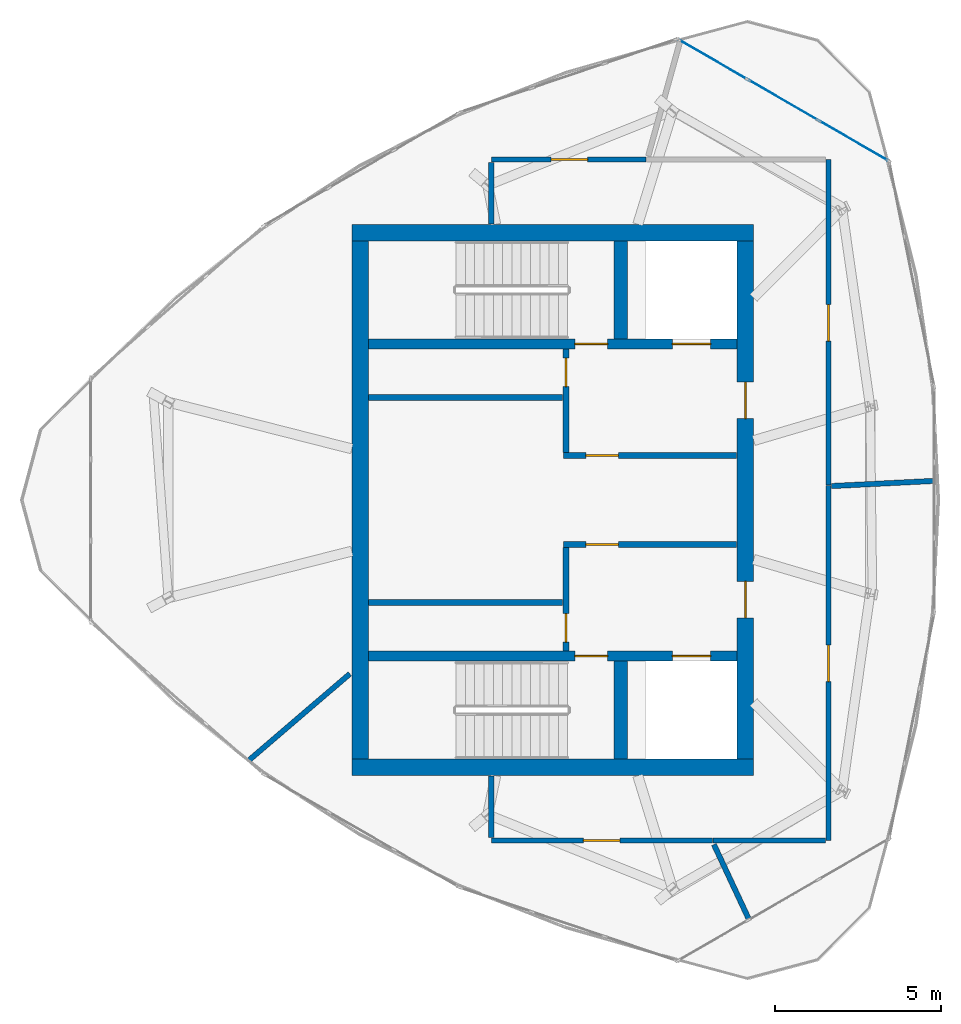
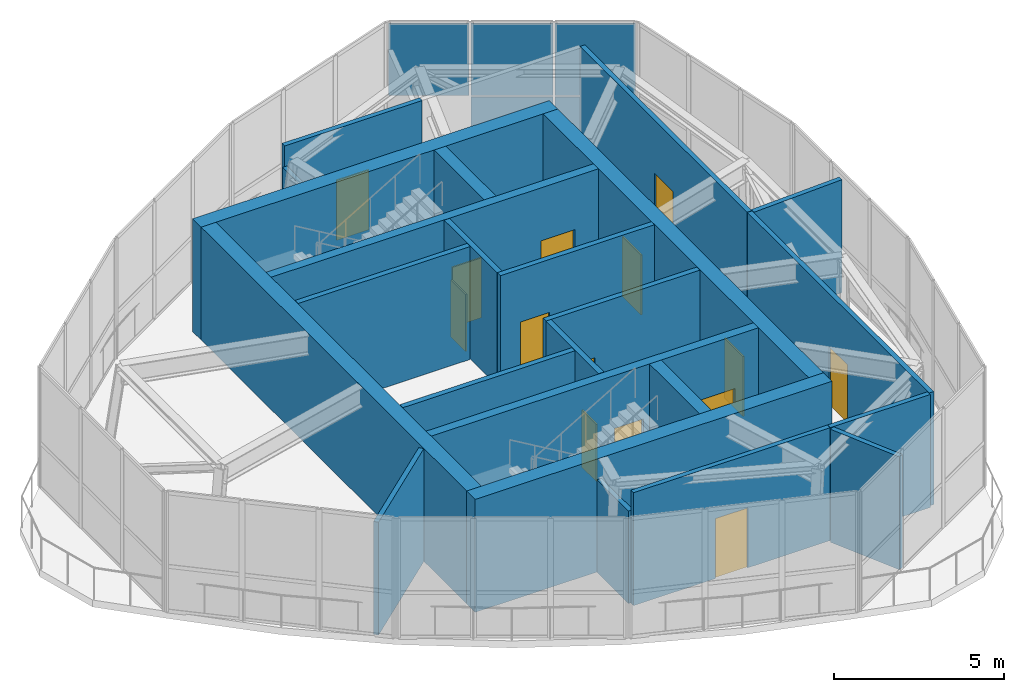
# One storey, part 7 of 10: 24 walls, 14 doors, 5 plates, 14 openings, 1 element without a shape of its own.
"""IFC4 building model written with IfcOpenShell, lengths in metres."""

from ifc_helpers import new_model, si_unit, direction, frame, frame_2d, origin, origin_2d, place, context, subcontext, project, spatial, rectangle, extrude, source, transform, mapped, material, layer, layer_set, type_object, element, fill, aggregate, save


model = new_model("IFC4")

# Units and contexts
model_context = context("Model", 3, precision=1e-05, world=origin(), true_north=direction((0.0, 1.0)))
body_context = subcontext(model_context, "Body", "Model", "MODEL_VIEW")
ifc_project = project(units=[si_unit("LENGTHUNIT", "METRE"), si_unit("AREAUNIT", "SQUARE_METRE"), si_unit("VOLUMEUNIT", "CUBIC_METRE"), si_unit("PLANEANGLEUNIT", "RADIAN"), si_unit("MASSUNIT", "GRAM", prefix="KILO")], contexts=[model_context])

# Site, building, storey
site_placement = place(None, origin())
site = spatial("IfcSite", under=ifc_project, at=site_placement, CompositionType="ELEMENT")
building_placement = place(site_placement, origin())
building = spatial("IfcBuilding", under=site, at=building_placement, Name="Qafzar Sky-Pleat Residences", CompositionType="ELEMENT")
storey_placement = place(building_placement, frame((0.0, 0.0, 270.39990234375)))
storey = spatial("IfcBuildingStorey", under=building, at=storey_placement, Name="L80 Crown", CompositionType="ELEMENT", Elevation=270.39990234375)

# Curtain wall, plates
ifc_material_1 = material(Name="Anodised bronze aluminium framing", Category="aluminium")
ifc_layer_1 = layer(ifc_material_1, 0.179931640625)
ifc_layer_set_1 = layer_set([ifc_layer_1], Name="Anodised bronze aluminium framing")
curtain_wall_type = type_object("IfcCurtainWallType", Name="CW-SYS-06", PredefinedType="NOTDEFINED", material=ifc_layer_set_1)
curtain_wall_placement = place(storey_placement, origin())
curtain_wall = element("IfcCurtainWall", 1, at=curtain_wall_placement, inside=storey, type_object=curtain_wall_type, Name="L80 Crown CW-06 Curtain Wall CW-CROWN-05-09", PredefinedType="NOTDEFINED")
ifc_material_2 = material(Name="Solar-control double low-E glazing", Category="glass")
ifc_layer_2 = layer(ifc_material_2, 0.02587890625)
ifc_layer_set_2 = layer_set([ifc_layer_2], Name="Solar-control double low-E glazing")
plate_type = type_object("IfcPlateType", Name="CWP-06", PredefinedType="CURTAIN_PANEL", material=ifc_layer_set_2)
shared_shape_1 = source(origin(), body_context, "Body", "SweptSolid", [
    extrude(rectangle(XDim=2.36572265625, YDim=0.02587890625, at=origin_2d()), origin(), (0.0, 0.0, 1.0), 1.5439453125),
])
plate_1_placement = place(storey_placement, frame((39.404296875, 36.818359375, 0.06005859375), z_axis=(0.0, 0.0, 1.0), x_axis=(-0.86602509329, 0.500000537791, 0.0)))
plate_1 = element("IfcPlate", 2, at=plate_1_placement, type_object=plate_type, Name="CW-06 panel 1.1", PredefinedType="CURTAIN_PANEL", context=body_context, shape_type="MappedRepresentation", body=[
    mapped(shared_shape_1, transform((0.0, 0.0, 0.0), x_axis=(1.0, 0.0, 0.0), y_axis=(0.0, 1.0, 0.0), z_axis=(0.0, 0.0, 1.0), scale=1.0)),
])
shared_shape_2 = source(origin(), body_context, "Body", "SweptSolid", [
    extrude(rectangle(XDim=2.36572265625, YDim=0.02587890625, at=origin_2d()), origin(), (0.0, 0.0, 1.0), 2.575927734375),
])
plate_2_placement = place(storey_placement, frame((39.404296875, 36.818359375, 1.6640625), z_axis=(0.0, 0.0, 1.0), x_axis=(-0.86602509329, 0.500000537791, 0.0)))
plate_2 = element("IfcPlate", 3, at=plate_2_placement, type_object=plate_type, Name="CW-06 panel 1.2", PredefinedType="CURTAIN_PANEL", context=body_context, shape_type="MappedRepresentation", body=[
    mapped(shared_shape_2, transform((0.0, 0.0, 0.0), x_axis=(1.0, 0.0, 0.0), y_axis=(0.0, 1.0, 0.0), z_axis=(0.0, 0.0, 1.0), scale=1.0)),
])
plate_3_placement = place(storey_placement, frame((35.177001953125, 39.259033203125, 1.6640625), z_axis=(0.0, 0.0, 1.0), x_axis=(-0.86602509329, 0.500000537791, 0.0)))
plate_3 = element("IfcPlate", 4, at=plate_3_placement, type_object=plate_type, Name="CW-06 panel 3.2", PredefinedType="CURTAIN_PANEL", context=body_context, shape_type="MappedRepresentation", body=[
    mapped(shared_shape_2, transform((0.0, 0.0, 0.0), x_axis=(1.0, 0.0, 0.0), y_axis=(0.0, 1.0, 0.0), z_axis=(0.0, 0.0, 1.0), scale=1.0)),
])
shared_shape_3 = source(origin(), body_context, "Body", "SweptSolid", [
    extrude(rectangle(XDim=2.395751953125, YDim=0.02587890625, at=origin_2d()), origin(), (0.0, 0.0, 1.0), 1.5439453125),
])
plate_4_placement = place(storey_placement, frame((37.29052734375, 38.038818359375, 0.06005859375), z_axis=(0.0, 0.0, 1.0), x_axis=(-0.86602509329, 0.500000537791, 0.0)))
plate_4 = element("IfcPlate", 5, at=plate_4_placement, type_object=plate_type, Name="CW-06 panel 2.1", PredefinedType="CURTAIN_PANEL", context=body_context, shape_type="MappedRepresentation", body=[
    mapped(shared_shape_3, transform((0.0, 0.0, 0.0), x_axis=(1.0, 0.0, 0.0), y_axis=(0.0, 1.0, 0.0), z_axis=(0.0, 0.0, 1.0), scale=1.0)),
])
shared_shape_4 = source(origin(), body_context, "Body", "SweptSolid", [
    extrude(rectangle(XDim=2.395751953125, YDim=0.02587890625, at=origin_2d()), origin(), (0.0, 0.0, 1.0), 2.575927734375),
])
plate_5_placement = place(storey_placement, frame((37.29052734375, 38.038818359375, 1.6640625), z_axis=(0.0, 0.0, 1.0), x_axis=(-0.86602509329, 0.500000537791, 0.0)))
plate_5 = element("IfcPlate", 6, at=plate_5_placement, type_object=plate_type, Name="CW-06 panel 2.2", PredefinedType="CURTAIN_PANEL", context=body_context, shape_type="MappedRepresentation", body=[
    mapped(shared_shape_4, transform((0.0, 0.0, 0.0), x_axis=(1.0, 0.0, 0.0), y_axis=(0.0, 1.0, 0.0), z_axis=(0.0, 0.0, 1.0), scale=1.0)),
])
aggregate(curtain_wall, [plate_1, plate_2, plate_4, plate_5, plate_3])

# Wall, opening, door
ifc_material_3 = material(Name="Acoustic gypsum plasterboard partition", Category="gypsum")
ifc_layer_3 = layer(ifc_material_3, 0.159912109375)
ifc_layer_set_3 = layer_set([ifc_layer_3], Name="Acoustic gypsum plasterboard partition")
wall_type_1 = type_object("IfcWallType", Name="PART-COR-160", PredefinedType="PARTITIONING", material=ifc_layer_set_3)
wall_1_placement = place(storey_placement, frame((38.64990234375, 26.429931640625, 0.0), z_axis=(0.0, 0.0, 1.0), x_axis=(0.0, -1.0, 0.0)))
wall_1 = element("IfcWall", 7, at=wall_1_placement, inside=storey, type_object=wall_type_1, Name="L80 Crown Partition Wall PART-L80_Crown-PW-001", PredefinedType="PARTITIONING", context=body_context, shape_type="SweptSolid", body=[
    extrude(rectangle(XDim=10.679931640625, YDim=0.159912109375, at=frame_2d((5.33984375, 0.0))), origin(), (0.0, 0.0, 1.0), 4.050048828125),
])
opening_1_placement = place(wall_1_placement, frame((4.797607421875, 0.0, 0.0)))
opening_1 = element("IfcOpeningElement", 8, at=opening_1_placement, cuts=wall_1, Name="Opening ID-02", PredefinedType="OPENING", context=body_context, shape_type="SweptSolid", body=[
    extrude(rectangle(XDim=1.10009765625, YDim=2.14990234375, at=frame_2d((0.550048828125, 1.074951171875))), frame((0.0, 0.08984375, 0.0), z_axis=(0.0, -1.0, 0.0), x_axis=(1.0, 0.0, 0.0)), (0.0, 0.0, 1.0), 0.179931640625),
])
ifc_material_4 = material(Name="Timber-faced fire door", Category="wood")
door_type_1 = type_object("IfcDoorType", Name="DR-FFL-1100", OperationType="NOTDEFINED", PredefinedType="DOOR", material=ifc_material_4)
shared_shape_5 = source(origin(), body_context, "Body", "SweptSolid", [
    extrude(rectangle(XDim=1.10009765625, YDim=2.14990234375, at=frame_2d((0.550048828125, 1.074951171875))), frame((0.0, 0.02490234375, 0.0), z_axis=(0.0, -1.0, 0.0), x_axis=(1.0, 0.0, 0.0)), (0.0, 0.0, 1.0), 0.050048828125),
])
door_1_placement = place(opening_1_placement, origin())
door_1 = element("IfcDoor", 9, at=door_1_placement, inside=storey, type_object=door_type_1, Name="L80 Crown Crown BMS and Telemetry Mechanical Room Door", OperationType="SINGLE_SWING_RIGHT", OverallHeight=2.14990234375, OverallWidth=1.10009765625, PredefinedType="DOOR", context=body_context, shape_type="MappedRepresentation", body=[
    mapped(shared_shape_5, transform((0.0, 0.0, 0.0), x_axis=(1.0, 0.0, 0.0), y_axis=(0.0, 1.0, 0.0), z_axis=(0.0, 0.0, 1.0), scale=1.0)),
])
fill(opening_1, door_1)

wall_2_placement = place(storey_placement, frame((38.64990234375, 36.25, 0.0), z_axis=(0.0, 0.0, 1.0), x_axis=(0.0, -1.0, 0.0)))
wall_2 = element("IfcWall", 10, at=wall_2_placement, inside=storey, type_object=wall_type_1, Name="L80 Crown Partition Wall PART-L80_Crown-PW-002", PredefinedType="PARTITIONING", context=body_context, shape_type="SweptSolid", body=[
    extrude(rectangle(XDim=9.804931640625, YDim=0.159912109375, at=frame_2d((4.90234375, 0.0))), origin(), (0.0, 0.0, 1.0), 4.050048828125),
])
opening_2_placement = place(wall_2_placement, frame((4.367431640625, 0.0, 0.0)))
opening_2 = element("IfcOpeningElement", 11, at=opening_2_placement, cuts=wall_2, Name="Opening ID-02", PredefinedType="OPENING", context=body_context, shape_type="SweptSolid", body=[
    extrude(rectangle(XDim=1.10009765625, YDim=2.14990234375, at=frame_2d((0.550048828125, 1.074951171875))), frame((0.0, 0.08984375, 0.0), z_axis=(0.0, -1.0, 0.0), x_axis=(1.0, 0.0, 0.0)), (0.0, 0.0, 1.0), 0.179931640625),
])
door_2_placement = place(opening_2_placement, origin())
door_2 = element("IfcDoor", 12, at=door_2_placement, inside=storey, type_object=door_type_1, Name="L80 Crown Crown Emergency Standby Switchgear Plant Room Door", OperationType="SINGLE_SWING_LEFT", OverallHeight=2.14990234375, OverallWidth=1.10009765625, PredefinedType="DOOR", context=body_context, shape_type="MappedRepresentation", body=[
    mapped(shared_shape_5, transform((0.0, 0.0, 0.0), x_axis=(1.0, 0.0, 0.0), y_axis=(0.0, 1.0, 0.0), z_axis=(0.0, 0.0, 1.0), scale=1.0)),
])
fill(opening_2, door_2)

wall_3_placement = place(storey_placement, frame((28.5, 15.75, 0.0), z_axis=(0.0, 0.0, 1.0), x_axis=(1.0, 0.0, 0.0)))
wall_3 = element("IfcWall", 13, at=wall_3_placement, inside=storey, type_object=wall_type_1, Name="L80 Crown Partition Wall PART-L80_Crown-PW-003", PredefinedType="PARTITIONING", context=body_context, shape_type="SweptSolid", body=[
    extrude(rectangle(XDim=6.662109375, YDim=0.159912109375, at=frame_2d((3.3310546875, 0.0))), origin(), (0.0, 0.0, 1.0), 4.050048828125),
])
opening_3_placement = place(wall_3_placement, frame((2.77294921875, 0.0, 0.0)))
opening_3 = element("IfcOpeningElement", 14, at=opening_3_placement, cuts=wall_3, Name="Opening ID-02", PredefinedType="OPENING", context=body_context, shape_type="SweptSolid", body=[
    extrude(rectangle(XDim=1.10009765625, YDim=2.14990234375, at=frame_2d((0.550048828125, 1.074951171875))), frame((0.0, 0.08984375, 0.0), z_axis=(0.0, -1.0, 0.0), x_axis=(1.0, 0.0, 0.0)), (0.0, 0.0, 1.0), 0.179931640625),
])
door_3_placement = place(opening_3_placement, origin())
door_3 = element("IfcDoor", 15, at=door_3_placement, inside=storey, type_object=door_type_1, Name="L80 Crown Crown Faceted Curtain-Wall Maintenance Plant Room Door", OperationType="SINGLE_SWING_RIGHT", OverallHeight=2.14990234375, OverallWidth=1.10009765625, PredefinedType="DOOR", context=body_context, shape_type="MappedRepresentation", body=[
    mapped(shared_shape_5, transform((0.0, 0.0, 0.0), x_axis=(1.0, 0.0, 0.0), y_axis=(0.0, 1.0, 0.0), z_axis=(0.0, 0.0, 1.0), scale=1.0)),
])
fill(opening_3, door_3)

wall_4_placement = place(storey_placement, frame((33.1650390625, 36.25, 0.0), z_axis=(0.0, 0.0, 1.0), x_axis=(-1.0, 0.0, 0.0)))
wall_4 = element("IfcWall", 16, at=wall_4_placement, inside=storey, type_object=wall_type_1, Name="L80 Crown Partition Wall PART-L80_Crown-PW-004", PredefinedType="PARTITIONING", context=body_context, shape_type="SweptSolid", body=[
    extrude(rectangle(XDim=4.6650390625, YDim=0.159912109375, at=frame_2d((2.33251953125, 0.0))), origin(), (0.0, 0.0, 1.0), 4.050048828125),
])
opening_4_placement = place(wall_4_placement, frame((1.76708984375, 0.0, 0.0)))
opening_4 = element("IfcOpeningElement", 17, at=opening_4_placement, cuts=wall_4, Name="Opening ID-02", PredefinedType="OPENING", context=body_context, shape_type="SweptSolid", body=[
    extrude(rectangle(XDim=1.10009765625, YDim=2.14990234375, at=frame_2d((0.550048828125, 1.074951171875))), frame((0.0, 0.08984375, 0.0), z_axis=(0.0, -1.0, 0.0), x_axis=(1.0, 0.0, 0.0)), (0.0, 0.0, 1.0), 0.179931640625),
])
door_4_placement = place(opening_4_placement, origin())
door_4 = element("IfcDoor", 18, at=door_4_placement, inside=storey, type_object=door_type_1, Name="L80 Crown Crown Cooling Tower and Heat Recovery Plant Room Door", OperationType="SINGLE_SWING_LEFT", OverallHeight=2.14990234375, OverallWidth=1.10009765625, PredefinedType="DOOR", context=body_context, shape_type="MappedRepresentation", body=[
    mapped(shared_shape_5, transform((0.0, 0.0, 0.0), x_axis=(1.0, 0.0, 0.0), y_axis=(0.0, 1.0, 0.0), z_axis=(0.0, 0.0, 1.0), scale=1.0)),
])
fill(opening_4, door_4)

# Walls
wall_5_placement = place(storey_placement, frame((21.204345703125, 18.164306640625, 0.0), z_axis=(0.0, 0.0, 1.0), x_axis=(0.759364296086, 0.650665709739, 0.0)))
element("IfcWall", 19, at=wall_5_placement, inside=storey, type_object=wall_type_1, Name="L80 Crown Partition Wall PART-L80_Crown-PW-006", PredefinedType="PARTITIONING", context=body_context, shape_type="SweptSolid", body=[
    extrude(rectangle(XDim=4.000244140625, YDim=0.159912109375, at=frame_2d((2.0, 0.0))), origin(), (0.0, 0.0, 1.0), 4.050048828125),
])
wall_6_placement = place(storey_placement, frame((35.177001953125, 15.75, 0.0), z_axis=(0.0, 0.0, 1.0), x_axis=(1.0, 0.0, 0.0)))
element("IfcWall", 20, at=wall_6_placement, inside=storey, type_object=wall_type_1, Name="L80 Crown Partition Wall PART-L80_Crown-PW-008", PredefinedType="PARTITIONING", context=body_context, shape_type="SweptSolid", body=[
    extrude(rectangle(XDim=3.385009765625, YDim=0.159912109375, at=frame_2d((1.6923828125, 0.0))), origin(), (0.0, 0.0, 1.0), 4.050048828125),
])
wall_7_placement = place(storey_placement, frame((38.741943359375, 26.419677734375, 0.0), z_axis=(0.0, 0.0, 1.0), x_axis=(0.998740431648, 0.050175194976, 0.0)))
element("IfcWall", 21, at=wall_7_placement, inside=storey, type_object=wall_type_1, Name="L80 Crown Partition Wall PART-L80_Crown-PW-009", PredefinedType="PARTITIONING", context=body_context, shape_type="SweptSolid", body=[
    extrude(rectangle(XDim=3.0751953125, YDim=0.159912109375, at=frame_2d((1.53759765625, 0.0))), origin(), (0.0, 0.0, 1.0), 4.050048828125),
])
wall_8_placement = place(storey_placement, frame((35.20263671875, 15.62890625, 0.0), z_axis=(0.0, 0.0, 1.0), x_axis=(0.423577860937, -0.905859699801, 0.0)))
element("IfcWall", 22, at=wall_8_placement, inside=storey, type_object=wall_type_1, Name="L80 Crown Partition Wall PART-L80_Crown-PW-010", PredefinedType="PARTITIONING", context=body_context, shape_type="SweptSolid", body=[
    extrude(rectangle(XDim=2.470458984375, YDim=0.159912109375, at=frame_2d((1.2353515625, 0.0))), origin(), (0.0, 0.0, 1.0), 4.050048828125),
])
for number, where, z_axis, x_axis, name in (
    (23, (28.5, 34.30810546875, 0.0), (0.0, 0.0, 1.0), (0.0, 1.0, 0.0), "L80 Crown Partition Wall PART-L80_Crown-PW-011"),
    (24, (28.5, 15.837890625, 0.0), (0.0, 0.0, 1.0), (0.0, 1.0, 0.0), "L80 Crown Partition Wall PART-L80_Crown-PW-012"),
):
    element("IfcWall", number, at=place(storey_placement, frame(where, z_axis=z_axis, x_axis=x_axis)), inside=storey, type_object=wall_type_1, Name=name, PredefinedType="PARTITIONING", context=body_context, shape_type="SweptSolid", body=[
        extrude(rectangle(XDim=1.85400390625, YDim=0.159912109375, at=frame_2d((0.927001953125, 0.0))), origin(), (0.0, 0.0, 1.0), 3.318115234375),
    ])

# Wall, opening, door
ifc_material_5 = material(Name="Concrete blockwork partition", Category="masonry")
ifc_layer_4 = layer(ifc_material_5, 0.179931640625)
ifc_layer_set_4 = layer_set([ifc_layer_4], Name="Concrete blockwork partition")
wall_type_2 = type_object("IfcWallType", Name="PART-SHAFT-180", PredefinedType="PARTITIONING", material=ifc_layer_set_4)
wall_9_placement = place(storey_placement, frame((30.75, 21.4599609375, 0.0), z_axis=(0.0, 0.0, 1.0), x_axis=(0.0, 1.0, 0.0)))
wall_9 = element("IfcWall", 25, at=wall_9_placement, inside=storey, type_object=wall_type_2, Name="L80 Crown Partition Wall PART-L80_Crown-FFL1-W", PredefinedType="PARTITIONING", context=body_context, shape_type="SweptSolid", body=[
    extrude(rectangle(XDim=3.110107421875, YDim=0.179931640625, at=frame_2d((1.55517578125, 0.0))), origin(), (0.0, 0.0, 1.0), 4.050048828125),
])
opening_5_placement = place(wall_9_placement, frame((0.260009765625, 0.0, 0.0)))
opening_5 = element("IfcOpeningElement", 26, at=opening_5_placement, cuts=wall_9, Name="Opening ID-09", PredefinedType="OPENING", context=body_context, shape_type="SweptSolid", body=[
    extrude(rectangle(XDim=0.860107421875, YDim=2.050048828125, at=frame_2d((0.43017578125, 1.02490234375))), frame((0.0, 0.10009765625, 0.0), z_axis=(0.0, -1.0, 0.0), x_axis=(1.0, 0.0, 0.0)), (0.0, 0.0, 1.0), 0.199951171875),
])
door_type_2 = type_object("IfcDoorType", Name="DR-SVC-860", OperationType="NOTDEFINED", PredefinedType="DOOR", material=ifc_material_4)
shared_shape_6 = source(origin(), body_context, "Body", "SweptSolid", [
    extrude(rectangle(XDim=0.860107421875, YDim=2.050048828125, at=frame_2d((0.43017578125, 1.02490234375))), frame((0.0, 0.02490234375, 0.0), z_axis=(0.0, -1.0, 0.0), x_axis=(1.0, 0.0, 0.0)), (0.0, 0.0, 1.0), 0.050048828125),
])
door_5_placement = place(opening_5_placement, origin())
door_5 = element("IfcDoor", 27, at=door_5_placement, inside=storey, type_object=door_type_2, Name="L80 Crown South Core Cupboard Door", OperationType="SINGLE_SWING_RIGHT", OverallHeight=2.050048828125, OverallWidth=0.860107421875, PredefinedType="DOOR", context=body_context, shape_type="MappedRepresentation", body=[
    mapped(shared_shape_6, transform((0.0, 0.0, 0.0), x_axis=(1.0, 0.0, 0.0), y_axis=(0.0, 1.0, 0.0), z_axis=(0.0, 0.0, 1.0), scale=1.0)),
])
fill(opening_5, door_5)

wall_10_placement = place(storey_placement, frame((30.669921875, 24.659912109375, 0.0), z_axis=(0.0, 0.0, 1.0), x_axis=(1.0, 0.0, 0.0)))
wall_10 = element("IfcWall", 28, at=wall_10_placement, inside=storey, type_object=wall_type_2, Name="L80 Crown Partition Wall PART-L80_Crown-FFL1-N", PredefinedType="PARTITIONING", context=body_context, shape_type="SweptSolid", body=[
    extrude(rectangle(XDim=5.219970703125, YDim=0.179931640625, at=frame_2d((2.60986328125, 0.0))), origin(), (0.0, 0.0, 1.0), 4.050048828125),
])
opening_6_placement = place(wall_10_placement, frame((0.679931640625, 0.0, 0.0)))
opening_6 = element("IfcOpeningElement", 29, at=opening_6_placement, cuts=wall_10, Name="Opening ID-01", PredefinedType="OPENING", context=body_context, shape_type="SweptSolid", body=[
    extrude(rectangle(XDim=0.97998046875, YDim=2.14990234375, at=frame_2d((0.489990234375, 1.074951171875))), frame((0.0, 0.10009765625, 0.0), z_axis=(0.0, -1.0, 0.0), x_axis=(1.0, 0.0, 0.0)), (0.0, 0.0, 1.0), 0.199951171875),
])
door_type_3 = type_object("IfcDoorType", Name="DR-STAIR-980", OperationType="NOTDEFINED", PredefinedType="DOOR", material=ifc_material_4)
shared_shape_7 = source(origin(), body_context, "Body", "SweptSolid", [
    extrude(rectangle(XDim=0.97998046875, YDim=2.14990234375, at=frame_2d((0.489990234375, 1.074951171875))), frame((0.0, 0.02490234375, 0.0), z_axis=(0.0, -1.0, 0.0), x_axis=(1.0, 0.0, 0.0)), (0.0, 0.0, 1.0), 0.050048828125),
])
door_6_placement = place(opening_6_placement, origin())
door_6 = element("IfcDoor", 30, at=door_6_placement, inside=storey, type_object=door_type_3, Name="L80 Crown Lift Lobby to South Firefighting Lobby Door", OperationType="SINGLE_SWING_LEFT", OverallHeight=2.14990234375, OverallWidth=0.97998046875, PredefinedType="DOOR", context=body_context, shape_type="MappedRepresentation", body=[
    mapped(shared_shape_7, transform((0.0, 0.0, 0.0), x_axis=(1.0, 0.0, 0.0), y_axis=(0.0, 1.0, 0.0), z_axis=(0.0, 0.0, 1.0), scale=1.0)),
])
fill(opening_6, door_6)

wall_11_placement = place(storey_placement, frame((30.75, 27.429931640625, 0.0), z_axis=(0.0, 0.0, 1.0), x_axis=(0.0, 1.0, 0.0)))
wall_11 = element("IfcWall", 31, at=wall_11_placement, inside=storey, type_object=wall_type_2, Name="L80 Crown Partition Wall PART-L80_Crown-FFL2-W", PredefinedType="PARTITIONING", context=body_context, shape_type="SweptSolid", body=[
    extrude(rectangle(XDim=3.110107421875, YDim=0.179931640625, at=frame_2d((1.55517578125, 0.0))), origin(), (0.0, 0.0, 1.0), 4.050048828125),
])
opening_7_placement = place(wall_11_placement, frame((1.97998046875, 0.0, 0.0)))
opening_7 = element("IfcOpeningElement", 32, at=opening_7_placement, cuts=wall_11, Name="Opening ID-09", PredefinedType="OPENING", context=body_context, shape_type="SweptSolid", body=[
    extrude(rectangle(XDim=0.860107421875, YDim=2.050048828125, at=frame_2d((0.43017578125, 1.02490234375))), frame((0.0, 0.10009765625, 0.0), z_axis=(0.0, -1.0, 0.0), x_axis=(1.0, 0.0, 0.0)), (0.0, 0.0, 1.0), 0.199951171875),
])
door_7_placement = place(opening_7_placement, origin())
door_7 = element("IfcDoor", 33, at=door_7_placement, inside=storey, type_object=door_type_2, Name="L80 Crown North Core Cupboard Door", OperationType="SINGLE_SWING_RIGHT", OverallHeight=2.050048828125, OverallWidth=0.860107421875, PredefinedType="DOOR", context=body_context, shape_type="MappedRepresentation", body=[
    mapped(shared_shape_6, transform((0.0, 0.0, 0.0), x_axis=(1.0, 0.0, 0.0), y_axis=(0.0, 1.0, 0.0), z_axis=(0.0, 0.0, 1.0), scale=1.0)),
])
fill(opening_7, door_7)

wall_12_placement = place(storey_placement, frame((30.669921875, 27.340087890625, 0.0), z_axis=(0.0, 0.0, 1.0), x_axis=(1.0, 0.0, 0.0)))
wall_12 = element("IfcWall", 34, at=wall_12_placement, inside=storey, type_object=wall_type_2, Name="L80 Crown Partition Wall PART-L80_Crown-FFL2-S", PredefinedType="PARTITIONING", context=body_context, shape_type="SweptSolid", body=[
    extrude(rectangle(XDim=5.219970703125, YDim=0.179931640625, at=frame_2d((2.60986328125, 0.0))), origin(), (0.0, 0.0, 1.0), 4.050048828125),
])
opening_8_placement = place(wall_12_placement, frame((0.679931640625, 0.0, 0.0)))
opening_8 = element("IfcOpeningElement", 35, at=opening_8_placement, cuts=wall_12, Name="Opening ID-01", PredefinedType="OPENING", context=body_context, shape_type="SweptSolid", body=[
    extrude(rectangle(XDim=0.97998046875, YDim=2.14990234375, at=frame_2d((0.489990234375, 1.074951171875))), frame((0.0, 0.10009765625, 0.0), z_axis=(0.0, -1.0, 0.0), x_axis=(1.0, 0.0, 0.0)), (0.0, 0.0, 1.0), 0.199951171875),
])
door_8_placement = place(opening_8_placement, origin())
door_8 = element("IfcDoor", 36, at=door_8_placement, inside=storey, type_object=door_type_3, Name="L80 Crown Lift Lobby to North Firefighting Lobby Door", OperationType="SINGLE_SWING_LEFT", OverallHeight=2.14990234375, OverallWidth=0.97998046875, PredefinedType="DOOR", context=body_context, shape_type="MappedRepresentation", body=[
    mapped(shared_shape_7, transform((0.0, 0.0, 0.0), x_axis=(1.0, 0.0, 0.0), y_axis=(0.0, 1.0, 0.0), z_axis=(0.0, 0.0, 1.0), scale=1.0)),
])
fill(opening_8, door_8)

# Walls
for number, where, z_axis, x_axis, name in (
    (37, (24.81005859375, 22.919921875, 0.0), (0.0, 0.0, 1.0), (1.0, 0.0, 0.0), "L80 Crown Partition Wall PART-L80_Crown-P13-S"),
    (38, (24.81005859375, 29.080078125, 0.0), (0.0, 0.0, 1.0), (1.0, 0.0, 0.0), "L80 Crown Partition Wall PART-L80_Crown-P46-N"),
):
    element("IfcWall", number, at=place(storey_placement, frame(where, z_axis=z_axis, x_axis=x_axis)), inside=storey, type_object=wall_type_2, Name=name, PredefinedType="PARTITIONING", context=body_context, shape_type="SweptSolid", body=[
        extrude(rectangle(XDim=5.83984375, YDim=0.179931640625, at=frame_2d((2.919921875, 0.0))), origin(), (0.0, 0.0, 1.0), 4.050048828125),
    ])

# Wall, openings, doors
ifc_material_6 = material(Name="Concrete C60/75", Category="concrete")
ifc_layer_5 = layer(ifc_material_6, 0.300048828125)
ifc_layer_set_5 = layer_set([ifc_layer_5], Name="Concrete C60/75")
wall_type_3 = type_object("IfcWallType", Name="WALL-SHEAR-300", PredefinedType="SHEAR", material=ifc_layer_set_5)
wall_13_placement = place(storey_placement, frame((24.800048828125, 21.300048828125, 0.0), z_axis=(0.0, 0.0, 1.0), x_axis=(1.0, 0.0, 0.0)))
wall_13 = element("IfcWall", 39, at=wall_13_placement, inside=storey, type_object=wall_type_3, Name="L80 Crown Stair ST1 and FF1 Shaft North Wall", PredefinedType="SHEAR", context=body_context, shape_type="SweptSolid", body=[
    extrude(rectangle(XDim=11.099853515625, YDim=0.300048828125, at=frame_2d((5.5498046875, 0.0))), origin(), (0.0, 0.0, 1.0), 4.050048828125),
])
opening_9_placement = place(wall_13_placement, frame((6.219970703125, 0.0, 0.0)))
opening_9 = element("IfcOpeningElement", 40, at=opening_9_placement, cuts=wall_13, Name="Opening ID-01", PredefinedType="OPENING", context=body_context, shape_type="SweptSolid", body=[
    extrude(rectangle(XDim=0.97998046875, YDim=2.14990234375, at=frame_2d((0.489990234375, 1.074951171875))), frame((0.0, 0.16015625, 0.0), z_axis=(0.0, -1.0, 0.0), x_axis=(1.0, 0.0, 0.0)), (0.0, 0.0, 1.0), 0.320068359375),
])
opening_10_placement = place(wall_13_placement, frame((9.14990234375, 0.0, 0.0)))
opening_10 = element("IfcOpeningElement", 41, at=opening_10_placement, cuts=wall_13, Name="Opening LD-02", PredefinedType="OPENING", context=body_context, shape_type="SweptSolid", body=[
    extrude(rectangle(XDim=1.14990234375, YDim=2.14990234375, at=frame_2d((0.574951171875, 1.074951171875))), frame((0.0, 0.16015625, 0.0), z_axis=(0.0, -1.0, 0.0), x_axis=(1.0, 0.0, 0.0)), (0.0, 0.0, 1.0), 0.320068359375),
])
door_9_placement = place(opening_9_placement, origin())
door_9 = element("IfcDoor", 42, at=door_9_placement, inside=storey, type_object=door_type_3, Name="L80 Crown Stair ST1 Fire Door", OperationType="SINGLE_SWING_RIGHT", OverallHeight=2.14990234375, OverallWidth=0.97998046875, PredefinedType="DOOR", context=body_context, shape_type="MappedRepresentation", body=[
    mapped(shared_shape_7, transform((0.0, 0.0, 0.0), x_axis=(1.0, 0.0, 0.0), y_axis=(0.0, 1.0, 0.0), z_axis=(0.0, 0.0, 1.0), scale=1.0)),
])
fill(opening_9, door_9)
ifc_material_7 = material(Name="Stainless steel sliding landing door", Category="steel")
door_type_4 = type_object("IfcDoorType", Name="DR-LIFT-FF", OperationType="DOUBLE_DOOR_SLIDING", PredefinedType="DOOR", material=ifc_material_7)
shared_shape_8 = source(origin(), body_context, "Body", "SweptSolid", [
    extrude(rectangle(XDim=1.14990234375, YDim=2.14990234375, at=frame_2d((0.574951171875, 1.074951171875))), frame((0.0, 0.02490234375, 0.0), z_axis=(0.0, -1.0, 0.0), x_axis=(1.0, 0.0, 0.0)), (0.0, 0.0, 1.0), 0.050048828125),
])
door_10_placement = place(opening_10_placement, origin())
door_10 = element("IfcDoor", 43, at=door_10_placement, inside=storey, type_object=door_type_4, Name="L80 Crown Firefighting Lift FF1 Landing Door", OperationType="DOUBLE_DOOR_SLIDING", OverallHeight=2.14990234375, OverallWidth=1.14990234375, PredefinedType="DOOR", context=body_context, shape_type="MappedRepresentation", body=[
    mapped(shared_shape_8, transform((0.0, 0.0, 0.0), x_axis=(1.0, 0.0, 0.0), y_axis=(0.0, 1.0, 0.0), z_axis=(0.0, 0.0, 1.0), scale=1.0)),
])
fill(opening_10, door_10)

wall_14_placement = place(storey_placement, frame((24.800048828125, 30.699951171875, 0.0), z_axis=(0.0, 0.0, 1.0), x_axis=(1.0, 0.0, 0.0)))
wall_14 = element("IfcWall", 44, at=wall_14_placement, inside=storey, type_object=wall_type_3, Name="L80 Crown Stair ST2 and FF2 Shaft South Wall", PredefinedType="SHEAR", context=body_context, shape_type="SweptSolid", body=[
    extrude(rectangle(XDim=11.099853515625, YDim=0.300048828125, at=frame_2d((5.5498046875, 0.0))), origin(), (0.0, 0.0, 1.0), 4.050048828125),
])
opening_11_placement = place(wall_14_placement, frame((6.219970703125, 0.0, 0.0)))
opening_11 = element("IfcOpeningElement", 45, at=opening_11_placement, cuts=wall_14, Name="Opening ID-01", PredefinedType="OPENING", context=body_context, shape_type="SweptSolid", body=[
    extrude(rectangle(XDim=0.97998046875, YDim=2.14990234375, at=frame_2d((0.489990234375, 1.074951171875))), frame((0.0, 0.16015625, 0.0), z_axis=(0.0, -1.0, 0.0), x_axis=(1.0, 0.0, 0.0)), (0.0, 0.0, 1.0), 0.320068359375),
])
opening_12_placement = place(wall_14_placement, frame((9.14990234375, 0.0, 0.0)))
opening_12 = element("IfcOpeningElement", 46, at=opening_12_placement, cuts=wall_14, Name="Opening LD-02", PredefinedType="OPENING", context=body_context, shape_type="SweptSolid", body=[
    extrude(rectangle(XDim=1.14990234375, YDim=2.14990234375, at=frame_2d((0.574951171875, 1.074951171875))), frame((0.0, 0.16015625, 0.0), z_axis=(0.0, -1.0, 0.0), x_axis=(1.0, 0.0, 0.0)), (0.0, 0.0, 1.0), 0.320068359375),
])
door_11_placement = place(opening_11_placement, origin())
door_11 = element("IfcDoor", 47, at=door_11_placement, inside=storey, type_object=door_type_3, Name="L80 Crown Stair ST2 Fire Door", OperationType="SINGLE_SWING_LEFT", OverallHeight=2.14990234375, OverallWidth=0.97998046875, PredefinedType="DOOR", context=body_context, shape_type="MappedRepresentation", body=[
    mapped(shared_shape_7, transform((0.0, 0.0, 0.0), x_axis=(1.0, 0.0, 0.0), y_axis=(0.0, 1.0, 0.0), z_axis=(0.0, 0.0, 1.0), scale=1.0)),
])
fill(opening_11, door_11)
door_12_placement = place(opening_12_placement, origin())
door_12 = element("IfcDoor", 48, at=door_12_placement, inside=storey, type_object=door_type_4, Name="L80 Crown Firefighting Lift FF2 Landing Door", OperationType="DOUBLE_DOOR_SLIDING", OverallHeight=2.14990234375, OverallWidth=1.14990234375, PredefinedType="DOOR", context=body_context, shape_type="MappedRepresentation", body=[
    mapped(shared_shape_8, transform((0.0, 0.0, 0.0), x_axis=(1.0, 0.0, 0.0), y_axis=(0.0, 1.0, 0.0), z_axis=(0.0, 0.0, 1.0), scale=1.0)),
])
fill(opening_12, door_12)

# Walls
ifc_layer_6 = layer(ifc_material_6, 0.39990234375)
ifc_layer_set_6 = layer_set([ifc_layer_6], Name="Concrete C60/75")
wall_type_4 = type_object("IfcWallType", Name="WALL-SHEAR-400", PredefinedType="SHEAR", material=ifc_layer_set_6)
for number, where, z_axis, x_axis, name in (
    (49, (32.39990234375, 18.199951171875, 0.0), (0.0, 0.0, 1.0), (0.0, 1.0, 0.0), "L80 Crown Stair ST1 East Dividing Wall"),
    (50, (32.39990234375, 30.85009765625, 0.0), (0.0, 0.0, 1.0), (0.0, 1.0, 0.0), "L80 Crown Stair ST2 East Dividing Wall"),
):
    element("IfcWall", number, at=place(storey_placement, frame(where, z_axis=z_axis, x_axis=x_axis)), inside=storey, type_object=wall_type_4, Name=name, PredefinedType="SHEAR", context=body_context, shape_type="SweptSolid", body=[
        extrude(rectangle(XDim=2.949951171875, YDim=0.39990234375, at=frame_2d((1.47509765625, 0.0))), origin(), (0.0, 0.0, 1.0), 4.050048828125),
    ])
ifc_layer_7 = layer(ifc_material_6, 0.5)
ifc_layer_set_7 = layer_set([ifc_layer_7], Name="Concrete C60/75")
wall_type_5 = type_object("IfcWallType", Name="WALL-SHEAR-500", PredefinedType="SHEAR", material=ifc_layer_set_7)
for number, where, z_axis, x_axis, name in (
    (51, (24.300048828125, 17.949951171875, 0.0), (0.0, 0.0, 1.0), (1.0, 0.0, 0.0), "L80 Crown CORE wall S"),
    (52, (36.39990234375, 34.050048828125, 0.0), (0.0, 0.0, 1.0), (-1.0, 0.0, 0.0), "L80 Crown CORE wall N"),
):
    element("IfcWall", number, at=place(storey_placement, frame(where, z_axis=z_axis, x_axis=x_axis)), inside=storey, type_object=wall_type_5, Name=name, PredefinedType="SHEAR", context=body_context, shape_type="SweptSolid", body=[
        extrude(rectangle(XDim=12.099853515625, YDim=0.5, at=frame_2d((6.0498046875, 0.0))), origin(), (0.0, 0.0, 1.0), 4.050048828125),
    ])
wall_15_placement = place(storey_placement, frame((24.550048828125, 33.800048828125, 0.0), z_axis=(0.0, 0.0, 1.0), x_axis=(0.0, -1.0, 0.0)))
element("IfcWall", 53, at=wall_15_placement, inside=storey, type_object=wall_type_5, Name="L80 Crown CORE wall W", PredefinedType="SHEAR", context=body_context, shape_type="SweptSolid", body=[
    extrude(rectangle(XDim=15.60009765625, YDim=0.5, at=frame_2d((7.800048828125, 0.0))), origin(), (0.0, 0.0, 1.0), 4.050048828125),
])

# Wall, openings, doors
wall_16_placement = place(storey_placement, frame((36.14990234375, 18.199951171875, 0.0), z_axis=(0.0, 0.0, 1.0), x_axis=(0.0, 1.0, 0.0)))
wall_16 = element("IfcWall", 54, at=wall_16_placement, inside=storey, type_object=wall_type_5, Name="L80 Crown CORE wall E", PredefinedType="SHEAR", context=body_context, shape_type="SweptSolid", body=[
    extrude(rectangle(XDim=15.60009765625, YDim=0.5, at=frame_2d((7.800048828125, 0.0))), origin(), (0.0, 0.0, 1.0), 4.050048828125),
])
opening_13_placement = place(wall_16_placement, frame((4.25, 0.0, 0.0)))
opening_13 = element("IfcOpeningElement", 55, at=opening_13_placement, cuts=wall_16, Name="Opening ID-02", PredefinedType="OPENING", context=body_context, shape_type="SweptSolid", body=[
    extrude(rectangle(XDim=1.10009765625, YDim=2.14990234375, at=frame_2d((0.550048828125, 1.074951171875))), frame((0.0, 0.260009765625, 0.0), z_axis=(0.0, -1.0, 0.0), x_axis=(1.0, 0.0, 0.0)), (0.0, 0.0, 1.0), 0.52001953125),
])
opening_14_placement = place(wall_16_placement, frame((10.25, 0.0, 0.0)))
opening_14 = element("IfcOpeningElement", 56, at=opening_14_placement, cuts=wall_16, Name="Opening ID-02", PredefinedType="OPENING", context=body_context, shape_type="SweptSolid", body=[
    extrude(rectangle(XDim=1.10009765625, YDim=2.14990234375, at=frame_2d((0.550048828125, 1.074951171875))), frame((0.0, 0.260009765625, 0.0), z_axis=(0.0, -1.0, 0.0), x_axis=(1.0, 0.0, 0.0)), (0.0, 0.0, 1.0), 0.52001953125),
])
door_13_placement = place(opening_13_placement, origin())
door_13 = element("IfcDoor", 57, at=door_13_placement, inside=storey, type_object=door_type_1, Name="L80 Crown Firefighting Lobby South Corridor Door", OperationType="SINGLE_SWING_RIGHT", OverallHeight=2.14990234375, OverallWidth=1.10009765625, PredefinedType="DOOR", context=body_context, shape_type="MappedRepresentation", body=[
    mapped(shared_shape_5, transform((0.0, 0.0, 0.0), x_axis=(1.0, 0.0, 0.0), y_axis=(0.0, 1.0, 0.0), z_axis=(0.0, 0.0, 1.0), scale=1.0)),
])
fill(opening_13, door_13)
door_14_placement = place(opening_14_placement, origin())
door_14 = element("IfcDoor", 58, at=door_14_placement, inside=storey, type_object=door_type_1, Name="L80 Crown Firefighting Lobby North Corridor Door", OperationType="SINGLE_SWING_LEFT", OverallHeight=2.14990234375, OverallWidth=1.10009765625, PredefinedType="DOOR", context=body_context, shape_type="MappedRepresentation", body=[
    mapped(shared_shape_5, transform((0.0, 0.0, 0.0), x_axis=(1.0, 0.0, 0.0), y_axis=(0.0, 1.0, 0.0), z_axis=(0.0, 0.0, 1.0), scale=1.0)),
])
fill(opening_14, door_14)

save(model, "model.ifc")
